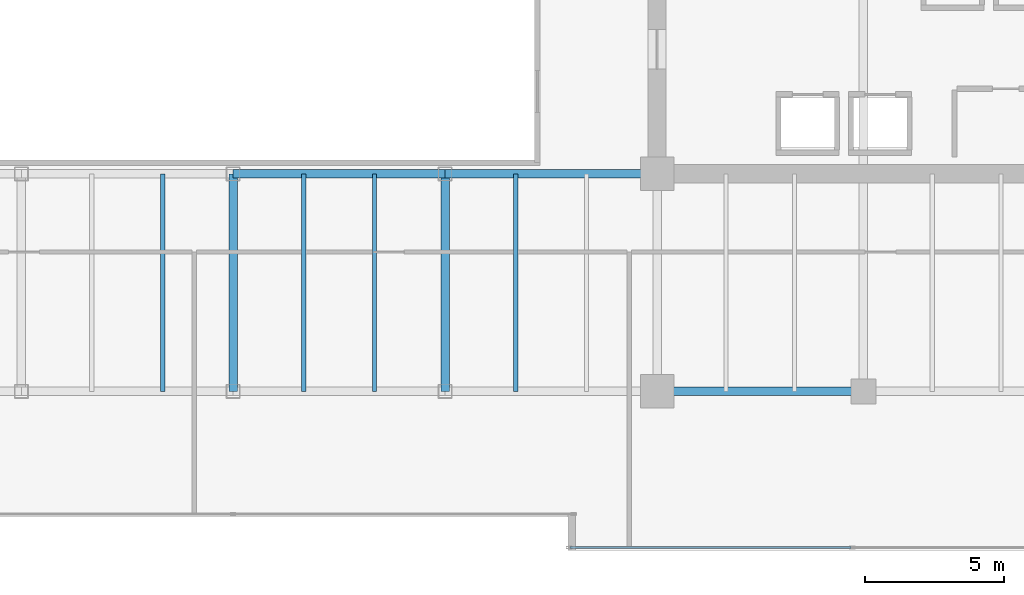
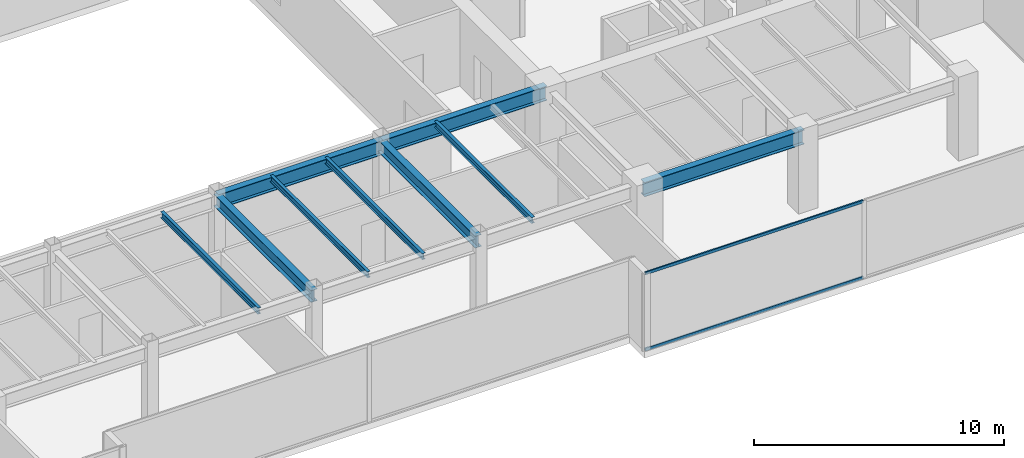
# One storey, part 11 of 31: 9 beams, 2 members, 1 element without a shape of its own.
"""IFC4 building model written with IfcOpenShell, lengths in metres."""

import ifcopenshell
import ifcopenshell.guid

model = None  # the IFC model being written
_history = None  # IfcOwnerHistory: only IFC2X3 demands one
_inside = {}  # id of a spatial element -> (the spatial element, [elements in it])
_under = {}  # id of a project, library or spatial element -> (it, [spatial elements below it])
_declared = {}  # id of a project -> (the project, [libraries it declares])
_typed = {}  # id of a type object -> (the type object, [elements of that type])
_made_of = {}  # id of a material, layer set ... -> (it, [elements and type objects made of it])


def new_model(schema):
    """Start an empty IFC model of exactly this schema.

    Asked for "IFC4X3", IfcOpenShell would pick the latest addendum, in which some entities
    have other attributes; the version numbers below select the first issue.
    IFC2X3 requires an IfcOwnerHistory on every rooted entity: one is made here for all.
    """
    global model, _history
    if schema == "IFC4X3":
        model = ifcopenshell.file(schema_version=(4, 3, 0, 0))
    else:
        model = ifcopenshell.file(schema=schema)
    _inside.clear()
    _under.clear()
    _declared.clear()
    _typed.clear()
    _made_of.clear()
    _history = None
    if model.schema == "IFC2X3":
        org = make("IfcOrganization", Name="unknown")
        user = make(
            "IfcPersonAndOrganization",
            ThePerson=make("IfcPerson", FamilyName="unknown"),
            TheOrganization=org,
        )
        app = make(
            "IfcApplication",
            ApplicationDeveloper=org,
            Version="unknown",
            ApplicationFullName="unknown",
            ApplicationIdentifier="unknown",
        )
        _history = make(
            "IfcOwnerHistory",
            OwningUser=user,
            OwningApplication=app,
            ChangeAction="ADDED",
            CreationDate=0,
        )
    return model


def make(cls, **values):
    """One entity of the class cls with the attributes given. An attribute that is None is left unset."""
    return model.create_entity(
        cls, **{name: value for name, value in values.items() if value is not None}
    )


def rooted(cls, **values):
    """An entity with a GlobalId (a new one), such as an element, a storey or a relation."""
    return make(cls, GlobalId=ifcopenshell.guid.new(), OwnerHistory=_history, **values)


def si_unit(unit_type, name, prefix=None):
    """IfcSIUnit, for example si_unit("LENGTHUNIT", "METRE", prefix="MILLI")."""
    return make("IfcSIUnit", UnitType=unit_type, Prefix=prefix, Name=name)


def assignment(units):
    """IfcUnitAssignment: the units of a project."""
    return None if units is None else make("IfcUnitAssignment", Units=units)


def point(xyz):
    """IfcCartesianPoint."""
    return None if xyz is None else make("IfcCartesianPoint", Coordinates=xyz)


def direction(xyz):
    """IfcDirection."""
    return None if xyz is None else make("IfcDirection", DirectionRatios=xyz)


def frame(location, z_axis=None, x_axis=None):
    """IfcAxis2Placement3D, a coordinate frame: its origin and axes. An axis left out is left unset."""
    return make(
        "IfcAxis2Placement3D",
        Location=point(location),
        Axis=direction(z_axis),
        RefDirection=direction(x_axis),
    )


def frame_2d(location, x_axis=None):
    """IfcAxis2Placement2D, a coordinate frame in the plane: its origin and x axis."""
    return make(
        "IfcAxis2Placement2D", Location=point(location), RefDirection=direction(x_axis)
    )


def origin():
    """The frame at (0, 0, 0) with its axes left unset."""
    return frame((0.0, 0.0, 0.0))


def origin_2d():
    """The frame at (0, 0) in the plane with its x axis left unset."""
    return frame_2d((0.0, 0.0))


def place(relative_to, where):
    """IfcLocalPlacement: puts the frame where relative to a parent placement (None: the world)."""
    return make(
        "IfcLocalPlacement", PlacementRelTo=relative_to, RelativePlacement=where
    )


def context(
    kind, dimensions, precision=None, world=None, true_north=None, identifier=None
):
    """IfcGeometricRepresentationContext, for example the 3D "Model" context."""
    return make(
        "IfcGeometricRepresentationContext",
        ContextIdentifier=identifier,
        ContextType=kind,
        CoordinateSpaceDimension=dimensions,
        Precision=precision,
        WorldCoordinateSystem=world,
        TrueNorth=true_north,
    )


def subcontext(parent, identifier, kind, view, scale=None):
    """IfcGeometricRepresentationSubContext, for example "Body" below "Model"."""
    return make(
        "IfcGeometricRepresentationSubContext",
        ContextIdentifier=identifier,
        ContextType=kind,
        ParentContext=parent,
        TargetScale=scale,
        TargetView=view,
    )


def project(units=None, contexts=None):
    """IfcProject with its units and contexts."""
    return rooted(
        "IfcProject",
        Name="project",
        RepresentationContexts=contexts,
        UnitsInContext=assignment(units),
    )


def spatial(cls, under=None, at=None, **own):
    """A site, building, storey or space (cls), placed at a placement, below another one or the project."""
    s = rooted(cls, ObjectPlacement=at, **own)
    if under is not None:
        _under.setdefault(under.id(), (under, []))[1].append(s)
    return s


def profile(cls, at=None, kind="AREA", **sizes):
    """A parametric profile (cls). Its sizes go by their IFC names, for example OverallWidth=200.0."""
    return make(cls, ProfileType=kind, Position=at, **sizes)


def hollow_rectangle(**sizes):
    """IfcRectangleHollowProfileDef."""
    return profile("IfcRectangleHollowProfileDef", **sizes)


def i_section(**sizes):
    """IfcIShapeProfileDef."""
    return profile("IfcIShapeProfileDef", **sizes)


def extrude(swept, where, along, depth):
    """IfcExtrudedAreaSolid: the profile swept, set in the frame where, extruded along a direction by depth."""
    return make(
        "IfcExtrudedAreaSolid",
        SweptArea=swept,
        Position=where,
        ExtrudedDirection=direction(along),
        Depth=depth,
    )


def shape(context_of_items, identifier, shape_type, items):
    """IfcShapeRepresentation: the items that make up one representation, for example the "Body"."""
    return make(
        "IfcShapeRepresentation",
        ContextOfItems=context_of_items,
        RepresentationIdentifier=identifier,
        RepresentationType=shape_type,
        Items=items,
    )


def source(mapping_origin, context_of_items, identifier, shape_type, items):
    """IfcRepresentationMap: a shape defined once, which mapped items show again and again."""
    return make(
        "IfcRepresentationMap",
        MappingOrigin=mapping_origin,
        MappedRepresentation=shape(context_of_items, identifier, shape_type, items),
    )


def transform(
    local_origin,
    x_axis=None,
    y_axis=None,
    z_axis=None,
    scale=None,
    scale2=None,
    scale3=None,
    uniform=True,
):
    """IfcCartesianTransformationOperator3D, or its non-uniform kind. x_axis, y_axis, z_axis: its Axis1, 2, 3."""
    if uniform:
        return make(
            "IfcCartesianTransformationOperator3D",
            Axis1=direction(x_axis),
            Axis2=direction(y_axis),
            LocalOrigin=point(local_origin),
            Scale=scale,
            Axis3=direction(z_axis),
        )
    return make(
        "IfcCartesianTransformationOperator3DnonUniform",
        Axis1=direction(x_axis),
        Axis2=direction(y_axis),
        LocalOrigin=point(local_origin),
        Scale=scale,
        Axis3=direction(z_axis),
        Scale2=scale2,
        Scale3=scale3,
    )


def mapped(mapping_source, mapping_target):
    """IfcMappedItem: shows the shape of a source again, moved by a transform."""
    return make(
        "IfcMappedItem", MappingSource=mapping_source, MappingTarget=mapping_target
    )


def material(Name=None, Category=None):
    """IfcMaterial."""
    return make("IfcMaterial", Name=Name, Category=Category)


def layer(
    of_material, thickness, ventilated=None, Name=None, Category=None, Priority=None
):
    """IfcMaterialLayer: one layer of a wall or slab, of a material (None: an air gap)."""
    return make(
        "IfcMaterialLayer",
        Material=of_material,
        LayerThickness=thickness,
        IsVentilated=ventilated,
        Name=Name,
        Category=Category,
        Priority=Priority,
    )


def layer_set(layers, Name=None):
    """IfcMaterialLayerSet."""
    return make("IfcMaterialLayerSet", MaterialLayers=layers, LayerSetName=Name)


def material_profile(
    of_material, cross_section, Name=None, Category=None, Priority=None
):
    """IfcMaterialProfile: a cross section and its material."""
    return make(
        "IfcMaterialProfile",
        Name=Name,
        Material=of_material,
        Profile=cross_section,
        Priority=Priority,
        Category=Category,
    )


def profile_set(profiles, Name=None, composite=None):
    """IfcMaterialProfileSet."""
    return make(
        "IfcMaterialProfileSet",
        Name=Name,
        MaterialProfiles=profiles,
        CompositeProfile=composite,
    )


def made_of(thing, what):
    """Note that an element or type object is made of a material, layer set ...; save() writes the relation."""
    if what is not None:
        _made_of.setdefault(what.id(), (what, []))[1].append(thing)
    return thing


def type_object(cls, material=None, **own):
    """A type object (cls), such as IfcWallType, which elements share."""
    return made_of(rooted(cls, **own), material)


def type_shapes(of_type, sources):
    """Give a type object the sources (RepresentationMaps) that its elements show as mapped items."""
    of_type.RepresentationMaps = sources


def element(
    cls,
    number,
    at=None,
    inside=None,
    cuts=None,
    type_object=None,
    material=None,
    context=None,
    identifier="Body",
    shape_type=None,
    held_by="IfcProductDefinitionShape",
    body=None,
    shapes=None,
    **own,
):
    """One element of the class cls, such as IfcWall. Its Tag is "e" and its number.

    at: its placement. inside: the storey or other place that contains it. cuts: it is an
    opening in that element (IfcRelVoidsElement). A single representation is given by context,
    identifier, shape_type and body (its items); several are given by shapes. held_by: the class
    of the entity that holds the representations. save() writes the other relations.
    """
    e = rooted(cls, Tag="e%d" % number, ObjectPlacement=at, **own)
    if body is not None:
        shapes = [shape(context, identifier, shape_type, body)]
    if shapes is not None:
        e.Representation = make(held_by, Representations=shapes)
    if inside is not None:
        _inside.setdefault(inside.id(), (inside, []))[1].append(e)
    if cuts is not None:
        rooted(
            "IfcRelVoidsElement", RelatingBuildingElement=cuts, RelatedOpeningElement=e
        )
    if type_object is not None:
        _typed.setdefault(type_object.id(), (type_object, []))[1].append(e)
    return made_of(e, material)


def aggregate(whole, parts):
    """IfcRelAggregates: a whole, such as a stair, and the parts it consists of."""
    return rooted("IfcRelAggregates", RelatingObject=whole, RelatedObjects=parts)


def save(model, path):
    """Write the relations noted so far, then the file.

    IfcRelAggregates (storeys below a building ...), IfcRelContainedInSpatialStructure (elements
    in a storey), IfcRelDefinesByType, IfcRelAssociatesMaterial and IfcRelDeclares: one each for
    every whole, place, type object, material and project.
    """
    for whole, parts in _under.values():
        aggregate(whole, parts)
    for where, things in _inside.values():
        rooted(
            "IfcRelContainedInSpatialStructure",
            RelatedElements=things,
            RelatingStructure=where,
        )
    for kind, things in _typed.values():
        rooted("IfcRelDefinesByType", RelatedObjects=things, RelatingType=kind)
    for what, things in _made_of.values():
        rooted("IfcRelAssociatesMaterial", RelatedObjects=things, RelatingMaterial=what)
    for by, libraries in _declared.values():
        rooted("IfcRelDeclares", RelatingContext=by, RelatedDefinitions=libraries)
    model.write(path)


model = new_model("IFC4")

# Units and contexts
model_context = context("Model", 3, precision=1e-05, world=origin(), true_north=direction((0.0, 1.0)))
body_context = subcontext(model_context, "Body", "Model", "MODEL_VIEW")
ifc_project = project(units=[si_unit("LENGTHUNIT", "METRE"), si_unit("AREAUNIT", "SQUARE_METRE"), si_unit("VOLUMEUNIT", "CUBIC_METRE"), si_unit("PLANEANGLEUNIT", "RADIAN"), si_unit("MASSUNIT", "GRAM", prefix="KILO")], contexts=[model_context])

# Site, building, storey
site_placement = place(None, origin())
site = spatial("IfcSite", under=ifc_project, at=site_placement, CompositionType="ELEMENT")
building_placement = place(site_placement, origin())
building = spatial("IfcBuilding", under=site, at=building_placement, Name="Haelvirn Gate Laboratories", CompositionType="ELEMENT")
storey_placement = place(building_placement, frame((0.0, 0.0, 174.800048828125)))
storey = spatial("IfcBuildingStorey", under=building, at=storey_placement, Name="L42", CompositionType="ELEMENT", Elevation=174.800048828125)

# Beams
ifc_material_1 = material(Name="Steel SM355", Category="steel")
ifc_material_profile_1 = material_profile(ifc_material_1, i_section(OverallWidth=0.300048828125, OverallDepth=0.699951171875, WebThickness=0.012939453125, FlangeThickness=0.02392578125, at=origin_2d()), Name="H-700x300x13x24")
ifc_profile_set_1 = profile_set([ifc_material_profile_1], Name="Steel SM355")
beam_type_1 = type_object("IfcBeamType", Name="BM-G-700", PredefinedType="BEAM", material=ifc_profile_set_1)
shared_shape_1 = source(origin(), body_context, "Body", "SweptSolid", [
    extrude(i_section(OverallWidth=0.300048828125, OverallDepth=0.699951171875, WebThickness=0.012939453125, FlangeThickness=0.02392578125, at=origin_2d()), origin(), (0.0, 0.0, 1.0), 7.39990234375),
])
beam_placement = place(storey_placement, frame((52.60009765625, 7.0, 3.43994140625), z_axis=(1.0, 0.0, 0.0), x_axis=(0.0, 1.0, 0.0)))
element("IfcBeam", 1, at=beam_placement, inside=storey, type_object=beam_type_1, Name="L42 Primary Girder Y7.0 (52.6-60.0)", PredefinedType="BEAM", context=body_context, shape_type="MappedRepresentation", body=[
    mapped(shared_shape_1, transform((0.0, 0.0, 0.0), scale=1.0)),
])
shared_shape_2 = source(origin(), body_context, "Body", "SweptSolid", [
    extrude(i_section(OverallWidth=0.300048828125, OverallDepth=0.699951171875, WebThickness=0.012939453125, FlangeThickness=0.02392578125, at=origin_2d()), origin(), (0.0, 0.0, 1.0), 7.60009765625),
])
type_shapes(beam_type_1, [shared_shape_1, shared_shape_2])
for number, where, z_axis, x_axis, name in (
    (2, (37.39990234375, 14.800048828125, 3.43994140625), (1.0, 0.0, 0.0), (0.0, 1.0, 0.0), "L42 Primary Girder Y14.8 (37.4-45.0)"),
    (3, (45.0, 14.800048828125, 3.43994140625), (1.0, 0.0, 0.0), (0.0, 1.0, 0.0), "L42 Primary Girder Y14.8 (45.0-52.6)"),
):
    element("IfcBeam", number, at=place(storey_placement, frame(where, z_axis=z_axis, x_axis=x_axis)), inside=storey, type_object=beam_type_1, Name=name, PredefinedType="BEAM", context=body_context, shape_type="MappedRepresentation", body=[
        mapped(shared_shape_2, transform((0.0, 0.0, 0.0), scale=1.0)),
    ])
ifc_material_profile_2 = material_profile(ifc_material_1, i_section(OverallWidth=0.14990234375, OverallDepth=0.300048828125, WebThickness=0.006591796875, FlangeThickness=0.009033203125, at=origin_2d()), Name="H-300x150x6.5x9")
ifc_profile_set_2 = profile_set([ifc_material_profile_2], Name="Steel SM355")
beam_type_2 = type_object("IfcBeamType", Name="BM-J-300", PredefinedType="JOIST", material=ifc_profile_set_2)
shared_shape_3 = source(origin(), body_context, "Body", "SweptSolid", [
    extrude(i_section(OverallWidth=0.14990234375, OverallDepth=0.300048828125, WebThickness=0.006591796875, FlangeThickness=0.009033203125, at=origin_2d()), origin(), (0.0, 0.0, 1.0), 7.800048828125),
])
type_shapes(beam_type_2, [shared_shape_3])
for number, where, z_axis, x_axis, name in (
    (4, (34.8701171875, 7.0, 3.639892578125), (0.0, 1.0, 0.0), (-1.0, 0.0, 0.0), "L42 Composite Lab Joist South X34.87"),
    (5, (39.929931640625, 7.0, 3.639892578125), (0.0, 1.0, 0.0), (-1.0, 0.0, 0.0), "L42 Composite Lab Joist South X39.93"),
    (6, (42.469970703125, 7.0, 3.639892578125), (0.0, 1.0, 0.0), (-1.0, 0.0, 0.0), "L42 Composite Lab Joist South X42.47"),
    (7, (47.530029296875, 7.0, 3.639892578125), (0.0, 1.0, 0.0), (-1.0, 0.0, 0.0), "L42 Composite Lab Joist South X47.53"),
):
    element("IfcBeam", number, at=place(storey_placement, frame(where, z_axis=z_axis, x_axis=x_axis)), inside=storey, type_object=beam_type_2, Name=name, PredefinedType="JOIST", context=body_context, shape_type="MappedRepresentation", body=[
        mapped(shared_shape_3, transform((0.0, 0.0, 0.0), scale=1.0)),
    ])
ifc_material_profile_3 = material_profile(ifc_material_1, i_section(OverallWidth=0.300048828125, OverallDepth=0.587890625, WebThickness=0.011962890625, FlangeThickness=0.02001953125, at=origin_2d()), Name="H-588x300x12x20")
ifc_profile_set_3 = profile_set([ifc_material_profile_3], Name="Steel SM355")
beam_type_3 = type_object("IfcBeamType", Name="BM-G-588", PredefinedType="BEAM", material=ifc_profile_set_3)
shared_shape_4 = source(origin(), body_context, "Body", "SweptSolid", [
    extrude(i_section(OverallWidth=0.300048828125, OverallDepth=0.587890625, WebThickness=0.011962890625, FlangeThickness=0.02001953125, at=origin_2d()), origin(), (0.0, 0.0, 1.0), 7.800048828125),
])
type_shapes(beam_type_3, [shared_shape_4])
for number, where, z_axis, x_axis, name in (
    (8, (37.39990234375, 7.0, 3.495849609375), (0.0, 1.0, 0.0), (-1.0, 0.0, 0.0), "L42 Frame Girder X37.4 (7.0-14.8)"),
    (9, (45.0, 7.0, 3.495849609375), (0.0, 1.0, 0.0), (-1.0, 0.0, 0.0), "L42 Frame Girder X45.0 (7.0-14.8)"),
):
    element("IfcBeam", number, at=place(storey_placement, frame(where, z_axis=z_axis, x_axis=x_axis)), inside=storey, type_object=beam_type_3, Name=name, PredefinedType="BEAM", context=body_context, shape_type="MappedRepresentation", body=[
        mapped(shared_shape_4, transform((0.0, 0.0, 0.0), scale=1.0)),
    ])

# Curtain wall, members
ifc_material_2 = material(Name="Anodised bronze unitised aluminium & triple low-E glass", Category="aluminium")
ifc_layer = layer(ifc_material_2, 0.179931640625, Name="CW-SYS-3")
ifc_layer_set = layer_set([ifc_layer], Name="Anodised bronze unitised aluminium & triple low-E glass")
curtain_wall_type = type_object("IfcCurtainWallType", Name="CW-SYS-3", PredefinedType="NOTDEFINED", material=ifc_layer_set)
curtain_wall_placement = place(storey_placement, origin())
curtain_wall = element("IfcCurtainWall", 10, at=curtain_wall_placement, inside=storey, type_object=curtain_wall_type, Name="L42 Unitised Curtain Wall CW-L42-P0-E04-1", PredefinedType="NOTDEFINED")
ifc_material_3 = material(Name="Extruded aluminium 6063-T6 (anodised bronze)", Category="aluminium")
ifc_material_profile_4 = material_profile(ifc_material_3, hollow_rectangle(XDim=0.06494140625, YDim=0.139892578125, WallThickness=0.00390625, at=origin_2d()), Name="CWT-140x65x4")
ifc_profile_set_4 = profile_set([ifc_material_profile_4], Name="Extruded aluminium 6063-T6 (anodised bronze)")
member_type = type_object("IfcMemberType", Name="CWT-T140", PredefinedType="USERDEFINED", material=ifc_profile_set_4)
shared_shape_5 = source(origin(), body_context, "Body", "SweptSolid", [
    extrude(hollow_rectangle(XDim=0.06494140625, YDim=0.139892578125, WallThickness=0.00390625, at=origin_2d()), origin(), (0.0, 0.0, 1.0), 10.08740234375),
])
type_shapes(member_type, [shared_shape_5])
member_1_placement = place(storey_placement, frame((49.47509765625, 1.39990234375, 0.032470703125), z_axis=(1.0, 0.0, 0.0), x_axis=(0.0, 1.0, 0.0)))
member_1 = element("IfcMember", 11, at=member_1_placement, type_object=member_type, Name="CW3 transom 1.1", ObjectType="TRANSOM", PredefinedType="USERDEFINED", context=body_context, shape_type="MappedRepresentation", body=[
    mapped(shared_shape_5, transform((0.0, 0.0, 0.0), scale=1.0)),
])
member_2_placement = place(storey_placement, frame((49.47509765625, 1.39990234375, 3.757568359375), z_axis=(1.0, 0.0, 0.0), x_axis=(0.0, 1.0, 0.0)))
member_2 = element("IfcMember", 12, at=member_2_placement, type_object=member_type, Name="CW3 transom 1.2", ObjectType="TRANSOM", PredefinedType="USERDEFINED", context=body_context, shape_type="MappedRepresentation", body=[
    mapped(shared_shape_5, transform((0.0, 0.0, 0.0), scale=1.0)),
])
aggregate(curtain_wall, [member_1, member_2])

save(model, "model.ifc")
